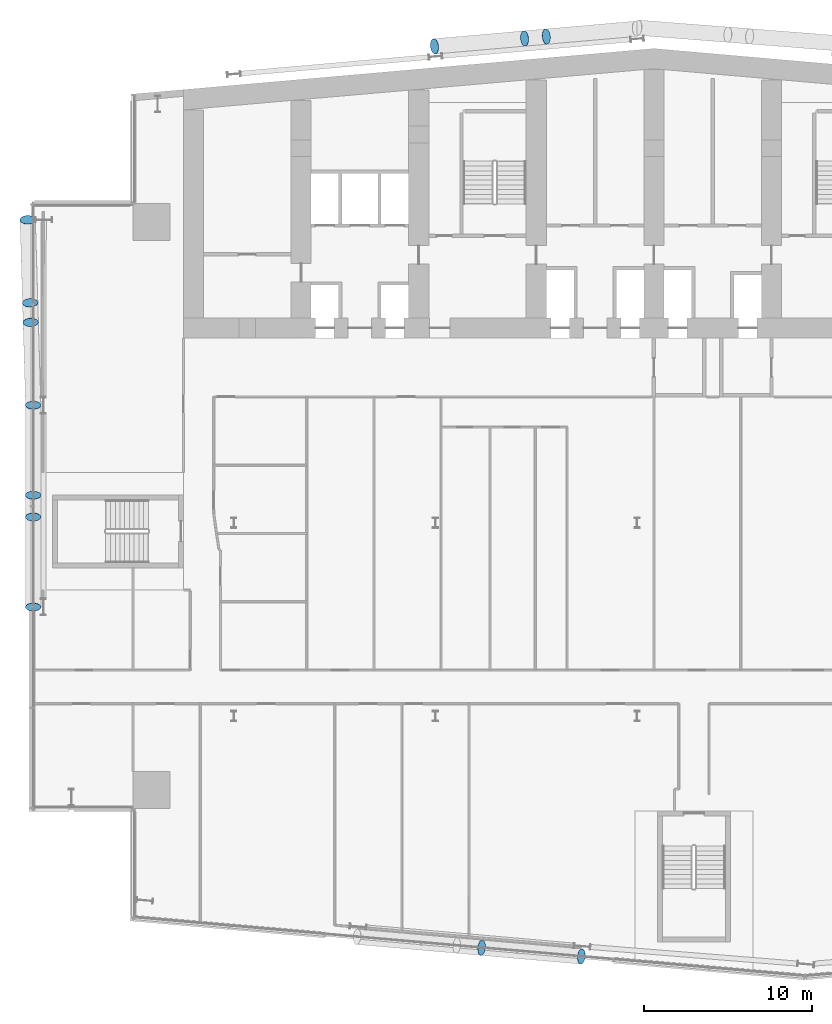
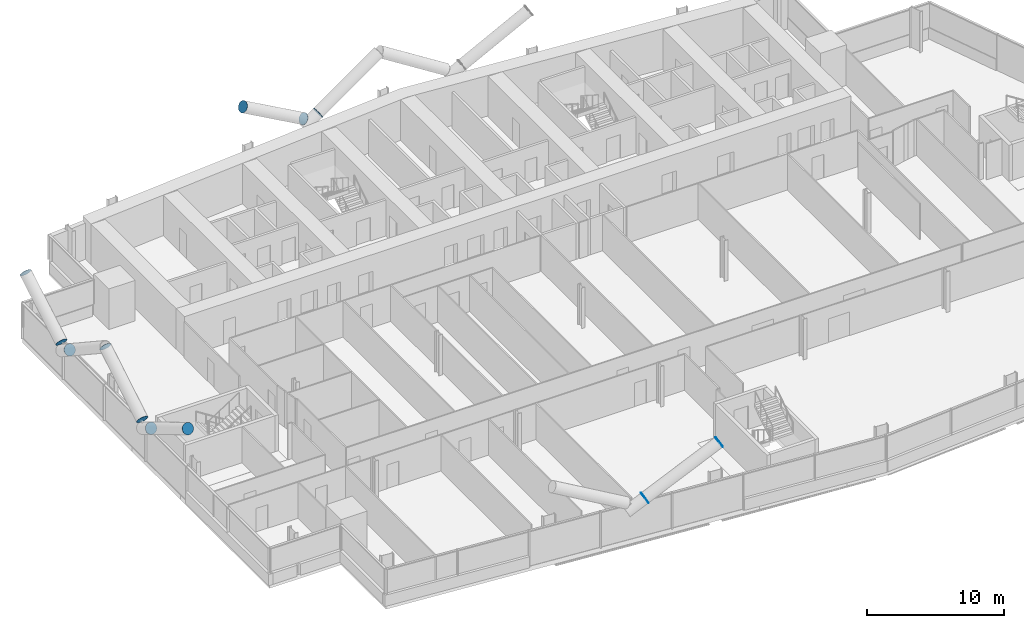
# One storey, part 21 of 27: 12 discrete accessories.
"""IFC4 building model written with IfcOpenShell, lengths in metres."""

from ifc_helpers import new_model, si_unit, direction, frame, origin, origin_2d, place, context, subcontext, project, spatial, circle, extrude, material, material_profile, profile_set, type_object, element, save


model = new_model("IFC4")

# Units and contexts
model_context = context("Model", 3, precision=1e-05, world=origin(), true_north=direction((0.0, 1.0)))
body_context = subcontext(model_context, "Body", "Model", "MODEL_VIEW")
ifc_project = project(units=[si_unit("LENGTHUNIT", "METRE"), si_unit("AREAUNIT", "SQUARE_METRE"), si_unit("VOLUMEUNIT", "CUBIC_METRE"), si_unit("PLANEANGLEUNIT", "RADIAN"), si_unit("MASSUNIT", "GRAM", prefix="KILO")], contexts=[model_context])

# Site, building, storey
site_placement = place(None, origin())
site = spatial("IfcSite", under=ifc_project, at=site_placement, CompositionType="ELEMENT")
building_placement = place(site_placement, origin())
building = spatial("IfcBuilding", under=site, at=building_placement, Name="Wharfspan Tower", CompositionType="ELEMENT")
storey_placement = place(building_placement, frame((0.0, 0.0, 48.699951)))
storey = spatial("IfcBuildingStorey", under=building, at=storey_placement, Name="L08", CompositionType="ELEMENT", Elevation=48.699951)

# Discrete accessories
ifc_material = material(Name="Steel S460NH", Category="steel")
ifc_material_profile = material_profile(ifc_material, circle(Radius=0.457031, at=origin_2d()))
ifc_profile_set = profile_set([ifc_material_profile], Name="Steel S460NH")
discrete_accessory_type = type_object("IfcDiscreteAccessoryType", Name="End plate CHS 914x40", PredefinedType="BRACKET", material=ifc_profile_set)
for number, where, z_axis, x_axis, name in (
    (1, (26.737549, -2.283936, 3.295654), (0.870063, -0.096674, 0.483368), (0.110432, 0.993885, 0.0), "End plate CHS 914x40"),
    (2, (32.671387, -2.803223, 6.5), (0.871847, -0.072654, 0.484359), (0.083044, 0.996547, 3e-06), "End plate CHS 914x40"),
):
    element("IfcDiscreteAccessory", number, at=place(storey_placement, frame(where, z_axis=z_axis, x_axis=x_axis)), inside=storey, type_object=discrete_accessory_type, Name=name, PredefinedType="BRACKET", context=body_context, shape_type="SweptSolid", body=[
        extrude(circle(Radius=0.457031, at=origin_2d()), origin(), (0.0, 0.0, 1.0), 0.01001),
    ])
discrete_accessory_1_placement = place(storey_placement, frame((0.054932, 23.358887, 3.284668), z_axis=(0.0, -0.853282, 0.52145), x_axis=(1.0, 0.0, 0.0)))
element("IfcDiscreteAccessory", 3, at=discrete_accessory_1_placement, inside=storey, type_object=discrete_accessory_type, Name="End plate CHS 914x40", PredefinedType="BRACKET", context=body_context, shape_type="SweptSolid", body=[
    extrude(circle(Radius=0.457031, at=origin_2d()), origin(), (0.0, 0.0, 1.0), 0.010254),
])
discrete_accessory_2_placement = place(storey_placement, frame((0.054932, 18.0, 6.5), z_axis=(0.0, -0.857493, 0.514496), x_axis=(1.0, 0.0, 0.0)))
element("IfcDiscreteAccessory", 4, at=discrete_accessory_2_placement, inside=storey, type_object=discrete_accessory_type, Name="End plate CHS 914x40", PredefinedType="BRACKET", context=body_context, shape_type="SweptSolid", body=[
    extrude(circle(Radius=0.457031, at=origin_2d()), origin(), (0.0, 0.0, 1.0), 0.01001),
])
discrete_accessory_3_placement = place(storey_placement, frame((0.054932, 24.641113, 3.284668), z_axis=(0.0, 0.853282, 0.52145), x_axis=(-1.0, 0.0, 0.0)))
element("IfcDiscreteAccessory", 5, at=discrete_accessory_3_placement, inside=storey, type_object=discrete_accessory_type, Name="End plate CHS 914x40", PredefinedType="BRACKET", context=body_context, shape_type="SweptSolid", body=[
    extrude(circle(Radius=0.457031, at=origin_2d()), origin(), (0.0, 0.0, 1.0), 0.010254),
])
for number, where, z_axis, x_axis, name in (
    (6, (0.054932, 30.0, 6.5), (0.0, 0.857493, 0.514496), (-1.0, 0.0, 0.0), "End plate CHS 914x40"),
    (7, (-0.092041, 34.941895, 3.275391), (0.024686, -0.839314, 0.543086), (0.999566, 0.0294, 1e-06), "End plate CHS 914x40"),
    (8, (-0.126221, 36.092285, 3.275391), (-0.024686, 0.839314, 0.543086), (-0.999566, -0.0294, 1e-06), "End plate CHS 914x40"),
):
    element("IfcDiscreteAccessory", number, at=place(storey_placement, frame(where, z_axis=z_axis, x_axis=x_axis)), inside=storey, type_object=discrete_accessory_type, Name=name, PredefinedType="BRACKET", context=body_context, shape_type="SweptSolid", body=[
        extrude(circle(Radius=0.457031, at=origin_2d()), origin(), (0.0, 0.0, 1.0), 0.01001),
    ])
discrete_accessory_4_placement = place(storey_placement, frame((-0.273193, 41.03418, 6.5), z_axis=(-0.02387, 0.835467, 0.549021), x_axis=(-0.999596, -0.028558, -2e-06)))
element("IfcDiscreteAccessory", 9, at=discrete_accessory_4_placement, inside=storey, type_object=discrete_accessory_type, Name="End plate CHS 914x40", PredefinedType="BRACKET", context=body_context, shape_type="SweptSolid", body=[
    extrude(circle(Radius=0.457031, at=origin_2d()), origin(), (0.0, 0.0, 1.0), 0.010254),
])
for number, where, z_axis, x_axis, name in (
    (10, (30.589111, 51.944092, 3.285156), (0.855186, 0.073302, 0.513112), (-0.085402, 0.996345, 1e-06), "End plate CHS 914x40"),
    (11, (29.30542, 51.831787, 3.285156), (-0.855186, -0.073302, 0.513112), (0.085402, -0.996345, 1e-06), "End plate CHS 914x40"),
    (12, (23.947266, 51.363037, 6.5), (-0.853405, -0.097532, 0.512043), (0.113547, -0.993531, 1e-06), "End plate CHS 914x40"),
):
    element("IfcDiscreteAccessory", number, at=place(storey_placement, frame(where, z_axis=z_axis, x_axis=x_axis)), inside=storey, type_object=discrete_accessory_type, Name=name, PredefinedType="BRACKET", context=body_context, shape_type="SweptSolid", body=[
        extrude(circle(Radius=0.457031, at=origin_2d()), origin(), (0.0, 0.0, 1.0), 0.01001),
    ])

save(model, "model.ifc")
